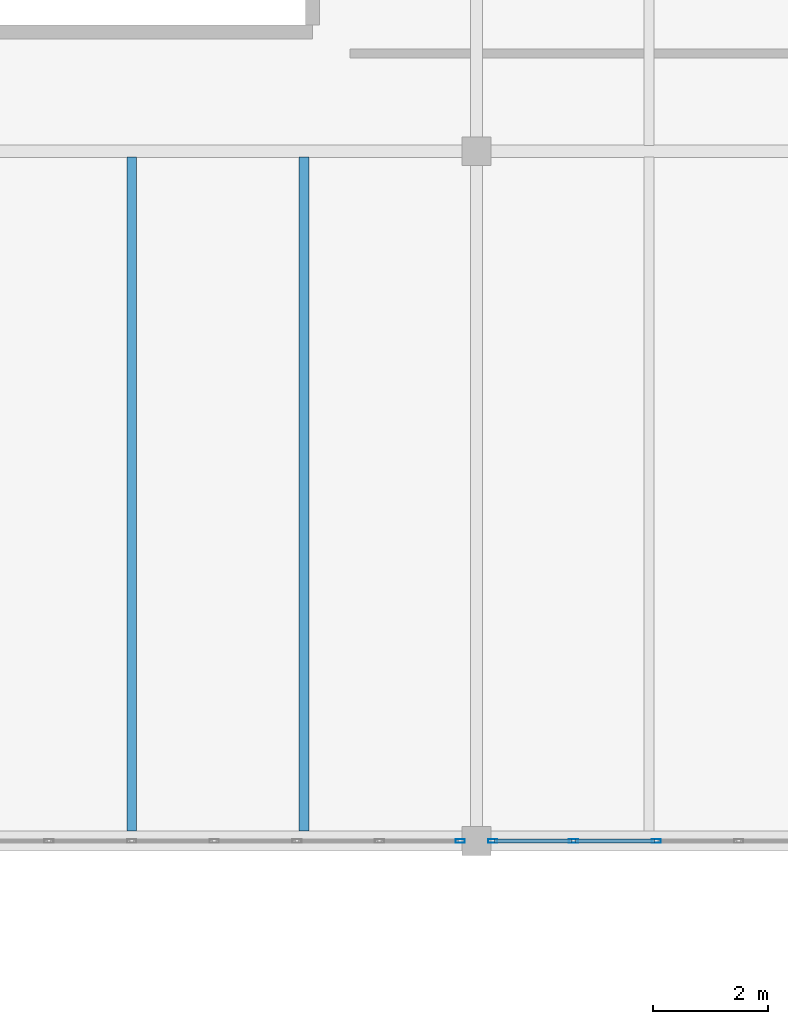
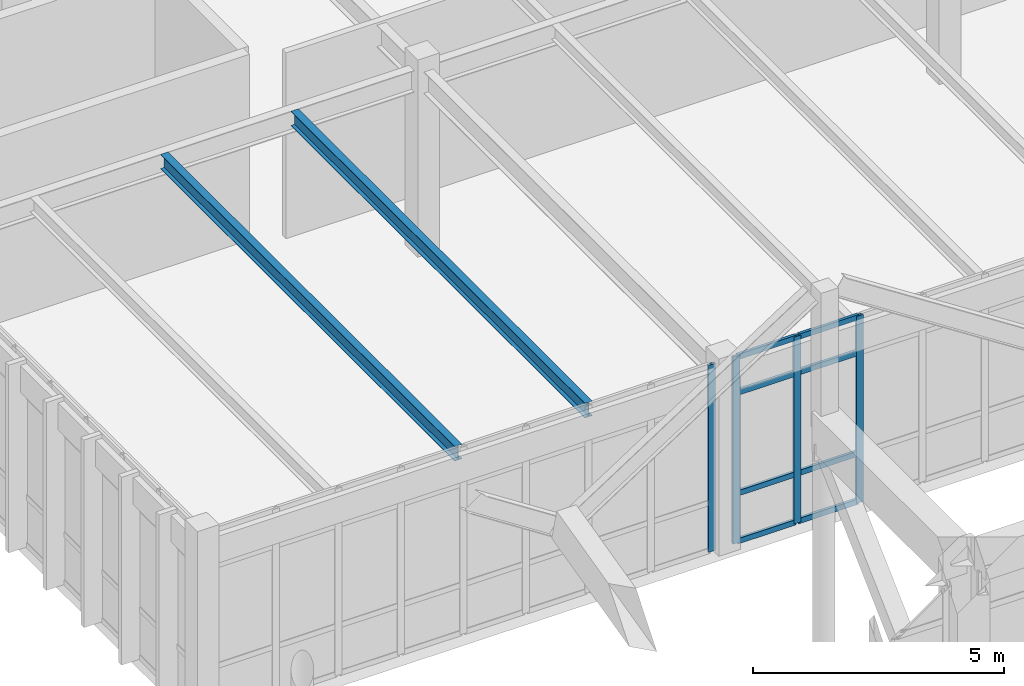
# One storey, part 91 of 236: 12 members, 2 beams, 2 elements without a shape of their own.
"""IFC4 building model written with IfcOpenShell, lengths in metres."""

import ifcopenshell
import ifcopenshell.guid

model = None  # the IFC model being written
_history = None  # IfcOwnerHistory: only IFC2X3 demands one
_inside = {}  # id of a spatial element -> (the spatial element, [elements in it])
_under = {}  # id of a project, library or spatial element -> (it, [spatial elements below it])
_declared = {}  # id of a project -> (the project, [libraries it declares])
_typed = {}  # id of a type object -> (the type object, [elements of that type])
_made_of = {}  # id of a material, layer set ... -> (it, [elements and type objects made of it])


def new_model(schema):
    """Start an empty IFC model of exactly this schema.

    Asked for "IFC4X3", IfcOpenShell would pick the latest addendum, in which some entities
    have other attributes; the version numbers below select the first issue.
    IFC2X3 requires an IfcOwnerHistory on every rooted entity: one is made here for all.
    """
    global model, _history
    if schema == "IFC4X3":
        model = ifcopenshell.file(schema_version=(4, 3, 0, 0))
    else:
        model = ifcopenshell.file(schema=schema)
    _inside.clear()
    _under.clear()
    _declared.clear()
    _typed.clear()
    _made_of.clear()
    _history = None
    if model.schema == "IFC2X3":
        org = make("IfcOrganization", Name="unknown")
        user = make(
            "IfcPersonAndOrganization",
            ThePerson=make("IfcPerson", FamilyName="unknown"),
            TheOrganization=org,
        )
        app = make(
            "IfcApplication",
            ApplicationDeveloper=org,
            Version="unknown",
            ApplicationFullName="unknown",
            ApplicationIdentifier="unknown",
        )
        _history = make(
            "IfcOwnerHistory",
            OwningUser=user,
            OwningApplication=app,
            ChangeAction="ADDED",
            CreationDate=0,
        )
    return model


def make(cls, **values):
    """One entity of the class cls with the attributes given. An attribute that is None is left unset."""
    return model.create_entity(
        cls, **{name: value for name, value in values.items() if value is not None}
    )


def rooted(cls, **values):
    """An entity with a GlobalId (a new one), such as an element, a storey or a relation."""
    return make(cls, GlobalId=ifcopenshell.guid.new(), OwnerHistory=_history, **values)


def si_unit(unit_type, name, prefix=None):
    """IfcSIUnit, for example si_unit("LENGTHUNIT", "METRE", prefix="MILLI")."""
    return make("IfcSIUnit", UnitType=unit_type, Prefix=prefix, Name=name)


def assignment(units):
    """IfcUnitAssignment: the units of a project."""
    return None if units is None else make("IfcUnitAssignment", Units=units)


def point(xyz):
    """IfcCartesianPoint."""
    return None if xyz is None else make("IfcCartesianPoint", Coordinates=xyz)


def direction(xyz):
    """IfcDirection."""
    return None if xyz is None else make("IfcDirection", DirectionRatios=xyz)


def frame(location, z_axis=None, x_axis=None):
    """IfcAxis2Placement3D, a coordinate frame: its origin and axes. An axis left out is left unset."""
    return make(
        "IfcAxis2Placement3D",
        Location=point(location),
        Axis=direction(z_axis),
        RefDirection=direction(x_axis),
    )


def frame_2d(location, x_axis=None):
    """IfcAxis2Placement2D, a coordinate frame in the plane: its origin and x axis."""
    return make(
        "IfcAxis2Placement2D", Location=point(location), RefDirection=direction(x_axis)
    )


def origin():
    """The frame at (0, 0, 0) with its axes left unset."""
    return frame((0.0, 0.0, 0.0))


def origin_2d():
    """The frame at (0, 0) in the plane with its x axis left unset."""
    return frame_2d((0.0, 0.0))


def place(relative_to, where):
    """IfcLocalPlacement: puts the frame where relative to a parent placement (None: the world)."""
    return make(
        "IfcLocalPlacement", PlacementRelTo=relative_to, RelativePlacement=where
    )


def context(
    kind, dimensions, precision=None, world=None, true_north=None, identifier=None
):
    """IfcGeometricRepresentationContext, for example the 3D "Model" context."""
    return make(
        "IfcGeometricRepresentationContext",
        ContextIdentifier=identifier,
        ContextType=kind,
        CoordinateSpaceDimension=dimensions,
        Precision=precision,
        WorldCoordinateSystem=world,
        TrueNorth=true_north,
    )


def subcontext(parent, identifier, kind, view, scale=None):
    """IfcGeometricRepresentationSubContext, for example "Body" below "Model"."""
    return make(
        "IfcGeometricRepresentationSubContext",
        ContextIdentifier=identifier,
        ContextType=kind,
        ParentContext=parent,
        TargetScale=scale,
        TargetView=view,
    )


def project(units=None, contexts=None):
    """IfcProject with its units and contexts."""
    return rooted(
        "IfcProject",
        Name="project",
        RepresentationContexts=contexts,
        UnitsInContext=assignment(units),
    )


def spatial(cls, under=None, at=None, **own):
    """A site, building, storey or space (cls), placed at a placement, below another one or the project."""
    s = rooted(cls, ObjectPlacement=at, **own)
    if under is not None:
        _under.setdefault(under.id(), (under, []))[1].append(s)
    return s


def profile(cls, at=None, kind="AREA", **sizes):
    """A parametric profile (cls). Its sizes go by their IFC names, for example OverallWidth=200.0."""
    return make(cls, ProfileType=kind, Position=at, **sizes)


def hollow_rectangle(**sizes):
    """IfcRectangleHollowProfileDef."""
    return profile("IfcRectangleHollowProfileDef", **sizes)


def i_section(**sizes):
    """IfcIShapeProfileDef."""
    return profile("IfcIShapeProfileDef", **sizes)


def extrude(swept, where, along, depth):
    """IfcExtrudedAreaSolid: the profile swept, set in the frame where, extruded along a direction by depth."""
    return make(
        "IfcExtrudedAreaSolid",
        SweptArea=swept,
        Position=where,
        ExtrudedDirection=direction(along),
        Depth=depth,
    )


def shape(context_of_items, identifier, shape_type, items):
    """IfcShapeRepresentation: the items that make up one representation, for example the "Body"."""
    return make(
        "IfcShapeRepresentation",
        ContextOfItems=context_of_items,
        RepresentationIdentifier=identifier,
        RepresentationType=shape_type,
        Items=items,
    )


def material(Name=None, Category=None):
    """IfcMaterial."""
    return make("IfcMaterial", Name=Name, Category=Category)


def layer(
    of_material, thickness, ventilated=None, Name=None, Category=None, Priority=None
):
    """IfcMaterialLayer: one layer of a wall or slab, of a material (None: an air gap)."""
    return make(
        "IfcMaterialLayer",
        Material=of_material,
        LayerThickness=thickness,
        IsVentilated=ventilated,
        Name=Name,
        Category=Category,
        Priority=Priority,
    )


def layer_set(layers, Name=None):
    """IfcMaterialLayerSet."""
    return make("IfcMaterialLayerSet", MaterialLayers=layers, LayerSetName=Name)


def material_profile(
    of_material, cross_section, Name=None, Category=None, Priority=None
):
    """IfcMaterialProfile: a cross section and its material."""
    return make(
        "IfcMaterialProfile",
        Name=Name,
        Material=of_material,
        Profile=cross_section,
        Priority=Priority,
        Category=Category,
    )


def profile_set(profiles, Name=None, composite=None):
    """IfcMaterialProfileSet."""
    return make(
        "IfcMaterialProfileSet",
        Name=Name,
        MaterialProfiles=profiles,
        CompositeProfile=composite,
    )


def made_of(thing, what):
    """Note that an element or type object is made of a material, layer set ...; save() writes the relation."""
    if what is not None:
        _made_of.setdefault(what.id(), (what, []))[1].append(thing)
    return thing


def type_object(cls, material=None, **own):
    """A type object (cls), such as IfcWallType, which elements share."""
    return made_of(rooted(cls, **own), material)


def element(
    cls,
    number,
    at=None,
    inside=None,
    cuts=None,
    type_object=None,
    material=None,
    context=None,
    identifier="Body",
    shape_type=None,
    held_by="IfcProductDefinitionShape",
    body=None,
    shapes=None,
    **own,
):
    """One element of the class cls, such as IfcWall. Its Tag is "e" and its number.

    at: its placement. inside: the storey or other place that contains it. cuts: it is an
    opening in that element (IfcRelVoidsElement). A single representation is given by context,
    identifier, shape_type and body (its items); several are given by shapes. held_by: the class
    of the entity that holds the representations. save() writes the other relations.
    """
    e = rooted(cls, Tag="e%d" % number, ObjectPlacement=at, **own)
    if body is not None:
        shapes = [shape(context, identifier, shape_type, body)]
    if shapes is not None:
        e.Representation = make(held_by, Representations=shapes)
    if inside is not None:
        _inside.setdefault(inside.id(), (inside, []))[1].append(e)
    if cuts is not None:
        rooted(
            "IfcRelVoidsElement", RelatingBuildingElement=cuts, RelatedOpeningElement=e
        )
    if type_object is not None:
        _typed.setdefault(type_object.id(), (type_object, []))[1].append(e)
    return made_of(e, material)


def aggregate(whole, parts):
    """IfcRelAggregates: a whole, such as a stair, and the parts it consists of."""
    return rooted("IfcRelAggregates", RelatingObject=whole, RelatedObjects=parts)


def save(model, path):
    """Write the relations noted so far, then the file.

    IfcRelAggregates (storeys below a building ...), IfcRelContainedInSpatialStructure (elements
    in a storey), IfcRelDefinesByType, IfcRelAssociatesMaterial and IfcRelDeclares: one each for
    every whole, place, type object, material and project.
    """
    for whole, parts in _under.values():
        aggregate(whole, parts)
    for where, things in _inside.values():
        rooted(
            "IfcRelContainedInSpatialStructure",
            RelatedElements=things,
            RelatingStructure=where,
        )
    for kind, things in _typed.values():
        rooted("IfcRelDefinesByType", RelatedObjects=things, RelatingType=kind)
    for what, things in _made_of.values():
        rooted("IfcRelAssociatesMaterial", RelatedObjects=things, RelatingMaterial=what)
    for by, libraries in _declared.values():
        rooted("IfcRelDeclares", RelatingContext=by, RelatedDefinitions=libraries)
    model.write(path)


model = new_model("IFC4")

# Units and contexts
model_context = context("Model", 3, precision=1e-05, world=origin(), true_north=direction((0.0, 1.0)))
body_context = subcontext(model_context, "Body", "Model", "MODEL_VIEW")
ifc_project = project(units=[si_unit("LENGTHUNIT", "METRE"), si_unit("AREAUNIT", "SQUARE_METRE"), si_unit("VOLUMEUNIT", "CUBIC_METRE"), si_unit("PLANEANGLEUNIT", "RADIAN"), si_unit("MASSUNIT", "GRAM", prefix="KILO")], contexts=[model_context])

# Site, building, storey
site_placement = place(None, origin())
site = spatial("IfcSite", under=ifc_project, at=site_placement, CompositionType="ELEMENT")
building_placement = place(site_placement, origin())
building = spatial("IfcBuilding", under=site, at=building_placement, Name="Pandanus Reach Market Hall", CompositionType="ELEMENT")
storey_placement = place(building_placement, frame((0.0, 0.0, 5.39990234375)))
storey = spatial("IfcBuildingStorey", under=building, at=storey_placement, Name="L01", CompositionType="ELEMENT", Elevation=5.39990234375)

# Curtain wall, member
ifc_material_1 = material(Name="Bronze anodised aluminium and low-E glass", Category="aluminium")
ifc_layer = layer(ifc_material_1, 0.159912109375, Name="CW-38")
ifc_layer_set = layer_set([ifc_layer], Name="Bronze anodised aluminium and low-E glass")
curtain_wall_type = type_object("IfcCurtainWallType", Name="CW-38", PredefinedType="NOTDEFINED", material=ifc_layer_set)
curtain_wall_1_placement = place(storey_placement, origin())
curtain_wall_1 = element("IfcCurtainWall", 1, at=curtain_wall_1_placement, inside=storey, type_object=curtain_wall_type, Name="Glazed curtain wall CW-38 CW-0135", PredefinedType="NOTDEFINED")
ifc_material_2 = material(Name="Bronze anodised aluminium", Category="aluminium")
ifc_material_profile_1 = material_profile(ifc_material_2, hollow_rectangle(XDim=0.06494140625, YDim=0.159912109375, WallThickness=0.00390625, at=origin_2d()), Name="ALU65x160", Category="LoadBearing")
ifc_profile_set_1 = profile_set([ifc_material_profile_1], Name="Bronze anodised aluminium")
member_type_1 = type_object("IfcMemberType", Name="CW-M1", PredefinedType="MULLION", material=ifc_profile_set_1)
member_1_placement = place(storey_placement, frame((71.717529296875, 96.0, 0.0), z_axis=(0.0, 0.0, 1.0), x_axis=(0.0, 1.0, 0.0)))
member_1 = element("IfcMember", 2, at=member_1_placement, type_object=member_type_1, Name="CW-38 mullion 9", PredefinedType="MULLION", context=body_context, shape_type="SweptSolid", body=[
    extrude(hollow_rectangle(XDim=0.06494140625, YDim=0.159912109375, WallThickness=0.00390625, at=origin_2d()), origin(), (0.0, 0.0, 1.0), 4.550048828125),
])
aggregate(curtain_wall_1, [member_1])

# Curtain wall, members
curtain_wall_2_placement = place(storey_placement, origin())
curtain_wall_2 = element("IfcCurtainWall", 3, at=curtain_wall_2_placement, inside=storey, type_object=curtain_wall_type, Name="Glazed curtain wall CW-38 CW-0136", PredefinedType="NOTDEFINED")
member_2_placement = place(storey_placement, frame((72.282470703125, 96.0, 0.0), z_axis=(0.0, 0.0, 1.0), x_axis=(0.0, 1.0, 0.0)))
member_2 = element("IfcMember", 4, at=member_2_placement, type_object=member_type_1, Name="CW-38 mullion 1", PredefinedType="MULLION", context=body_context, shape_type="SweptSolid", body=[
    extrude(hollow_rectangle(XDim=0.06494140625, YDim=0.159912109375, WallThickness=0.00390625, at=origin_2d()), origin(), (0.0, 0.0, 1.0), 4.550048828125),
])
member_3_placement = place(storey_placement, frame((73.6875, 96.0, 0.0), z_axis=(0.0, 0.0, 1.0), x_axis=(0.0, 1.0, 0.0)))
member_3 = element("IfcMember", 5, at=member_3_placement, type_object=member_type_1, Name="CW-38 mullion 2", PredefinedType="MULLION", context=body_context, shape_type="SweptSolid", body=[
    extrude(hollow_rectangle(XDim=0.06494140625, YDim=0.159912109375, WallThickness=0.00390625, at=origin_2d()), origin(), (0.0, 0.0, 1.0), 4.550048828125),
])
member_4_placement = place(storey_placement, frame((75.125, 96.0, 0.0), z_axis=(0.0, 0.0, 1.0), x_axis=(0.0, 1.0, 0.0)))
member_4 = element("IfcMember", 6, at=member_4_placement, type_object=member_type_1, Name="CW-38 mullion 3", PredefinedType="MULLION", context=body_context, shape_type="SweptSolid", body=[
    extrude(hollow_rectangle(XDim=0.06494140625, YDim=0.159912109375, WallThickness=0.00390625, at=origin_2d()), origin(), (0.0, 0.0, 1.0), 4.550048828125),
])
ifc_material_profile_2 = material_profile(ifc_material_2, hollow_rectangle(XDim=0.06494140625, YDim=0.1298828125, WallThickness=0.00390625, at=origin_2d()), Name="ALU65x130", Category="LoadBearing")
ifc_profile_set_2 = profile_set([ifc_material_profile_2], Name="Bronze anodised aluminium")
member_type_2 = type_object("IfcMemberType", Name="CW-T1", PredefinedType="USERDEFINED", material=ifc_profile_set_2)
member_5_placement = place(storey_placement, frame((72.31494140625, 96.0, 0.03271484375), z_axis=(1.0, 0.0, 0.0), x_axis=(0.0, 1.0, 0.0)))
member_5 = element("IfcMember", 7, at=member_5_placement, type_object=member_type_2, Name="CW-38 transom 1.1", ObjectType="TRANSOM", PredefinedType="USERDEFINED", context=body_context, shape_type="SweptSolid", body=[
    extrude(hollow_rectangle(XDim=0.06494140625, YDim=0.1298828125, WallThickness=0.00390625, at=origin_2d()), origin(), (0.0, 0.0, 1.0), 1.340087890625),
])
member_6_placement = place(storey_placement, frame((72.31494140625, 96.0, 1.2001953125), z_axis=(1.0, 0.0, 0.0), x_axis=(0.0, 1.0, 0.0)))
member_6 = element("IfcMember", 8, at=member_6_placement, type_object=member_type_2, Name="CW-38 transom 1.2", ObjectType="TRANSOM", PredefinedType="USERDEFINED", context=body_context, shape_type="SweptSolid", body=[
    extrude(hollow_rectangle(XDim=0.06494140625, YDim=0.1298828125, WallThickness=0.00390625, at=origin_2d()), origin(), (0.0, 0.0, 1.0), 1.340087890625),
])
member_7_placement = place(storey_placement, frame((72.31494140625, 96.0, 3.650146484375), z_axis=(1.0, 0.0, 0.0), x_axis=(0.0, 1.0, 0.0)))
member_7 = element("IfcMember", 9, at=member_7_placement, type_object=member_type_2, Name="CW-38 transom 1.3", ObjectType="TRANSOM", PredefinedType="USERDEFINED", context=body_context, shape_type="SweptSolid", body=[
    extrude(hollow_rectangle(XDim=0.06494140625, YDim=0.1298828125, WallThickness=0.00390625, at=origin_2d()), origin(), (0.0, 0.0, 1.0), 1.340087890625),
])
member_8_placement = place(storey_placement, frame((72.31494140625, 96.0, 4.517578125), z_axis=(1.0, 0.0, 0.0), x_axis=(0.0, 1.0, 0.0)))
member_8 = element("IfcMember", 10, at=member_8_placement, type_object=member_type_2, Name="CW-38 transom 1.4", ObjectType="TRANSOM", PredefinedType="USERDEFINED", context=body_context, shape_type="SweptSolid", body=[
    extrude(hollow_rectangle(XDim=0.06494140625, YDim=0.1298828125, WallThickness=0.00390625, at=origin_2d()), origin(), (0.0, 0.0, 1.0), 1.340087890625),
])
member_9_placement = place(storey_placement, frame((73.719970703125, 96.0, 0.03271484375), z_axis=(1.0, 0.0, 0.0), x_axis=(0.0, 1.0, 0.0)))
member_9 = element("IfcMember", 11, at=member_9_placement, type_object=member_type_2, Name="CW-38 transom 2.1", ObjectType="TRANSOM", PredefinedType="USERDEFINED", context=body_context, shape_type="SweptSolid", body=[
    extrude(hollow_rectangle(XDim=0.06494140625, YDim=0.1298828125, WallThickness=0.00390625, at=origin_2d()), origin(), (0.0, 0.0, 1.0), 1.37255859375),
])
member_10_placement = place(storey_placement, frame((73.719970703125, 96.0, 1.2001953125), z_axis=(1.0, 0.0, 0.0), x_axis=(0.0, 1.0, 0.0)))
member_10 = element("IfcMember", 12, at=member_10_placement, type_object=member_type_2, Name="CW-38 transom 2.2", ObjectType="TRANSOM", PredefinedType="USERDEFINED", context=body_context, shape_type="SweptSolid", body=[
    extrude(hollow_rectangle(XDim=0.06494140625, YDim=0.1298828125, WallThickness=0.00390625, at=origin_2d()), origin(), (0.0, 0.0, 1.0), 1.37255859375),
])
member_11_placement = place(storey_placement, frame((73.719970703125, 96.0, 3.650146484375), z_axis=(1.0, 0.0, 0.0), x_axis=(0.0, 1.0, 0.0)))
member_11 = element("IfcMember", 13, at=member_11_placement, type_object=member_type_2, Name="CW-38 transom 2.3", ObjectType="TRANSOM", PredefinedType="USERDEFINED", context=body_context, shape_type="SweptSolid", body=[
    extrude(hollow_rectangle(XDim=0.06494140625, YDim=0.1298828125, WallThickness=0.00390625, at=origin_2d()), origin(), (0.0, 0.0, 1.0), 1.37255859375),
])
member_12_placement = place(storey_placement, frame((73.719970703125, 96.0, 4.517578125), z_axis=(1.0, 0.0, 0.0), x_axis=(0.0, 1.0, 0.0)))
member_12 = element("IfcMember", 14, at=member_12_placement, type_object=member_type_2, Name="CW-38 transom 2.4", ObjectType="TRANSOM", PredefinedType="USERDEFINED", context=body_context, shape_type="SweptSolid", body=[
    extrude(hollow_rectangle(XDim=0.06494140625, YDim=0.1298828125, WallThickness=0.00390625, at=origin_2d()), origin(), (0.0, 0.0, 1.0), 1.37255859375),
])
aggregate(curtain_wall_2, [member_2, member_3, member_4, member_5, member_6, member_7, member_8, member_9, member_10, member_11, member_12])

# Beams
ifc_material_3 = material(Name="Steel Grade 350 (350 MPa)", Category="steel")
ifc_material_profile_3 = material_profile(ifc_material_3, i_section(OverallWidth=0.1708984375, OverallDepth=0.35595703125, WebThickness=0.00732421875, FlangeThickness=0.011474609375, at=origin_2d()), Name="360UB50.7", Category="LoadBearing")
ifc_profile_set_3 = profile_set([ifc_material_profile_3], Name="Steel Grade 350 (350 MPa)")
beam_type = type_object("IfcBeamType", Name="JS-UB360-I", PredefinedType="JOIST", material=ifc_profile_set_3)
for number, where, z_axis, x_axis, name in (
    (15, (66.0, 96.173095703125, 4.28173828125), (0.0, 1.0, 0.0), (-1.0, 0.0, 0.0), "Secondary joist JS-UB360-I L01.886"),
    (16, (69.0, 96.173095703125, 4.28173828125), (0.0, 1.0, 0.0), (-1.0, 0.0, 0.0), "Secondary joist JS-UB360-I L01.887"),
):
    element("IfcBeam", number, at=place(storey_placement, frame(where, z_axis=z_axis, x_axis=x_axis)), inside=storey, type_object=beam_type, Name=name, PredefinedType="JOIST", context=body_context, shape_type="SweptSolid", body=[
        extrude(i_section(OverallWidth=0.1708984375, OverallDepth=0.35595703125, WebThickness=0.00732421875, FlangeThickness=0.011474609375, at=origin_2d()), origin(), (0.0, 0.0, 1.0), 11.724365234375),
    ])

save(model, "model.ifc")
